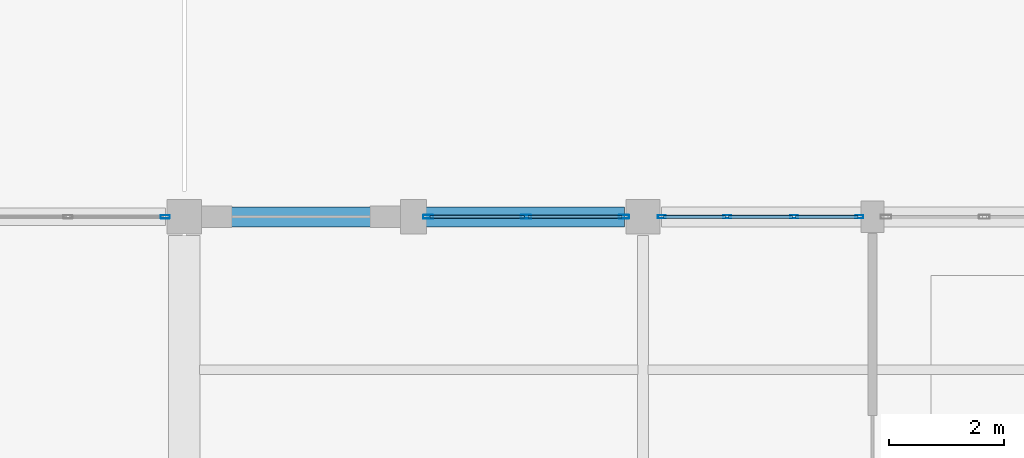
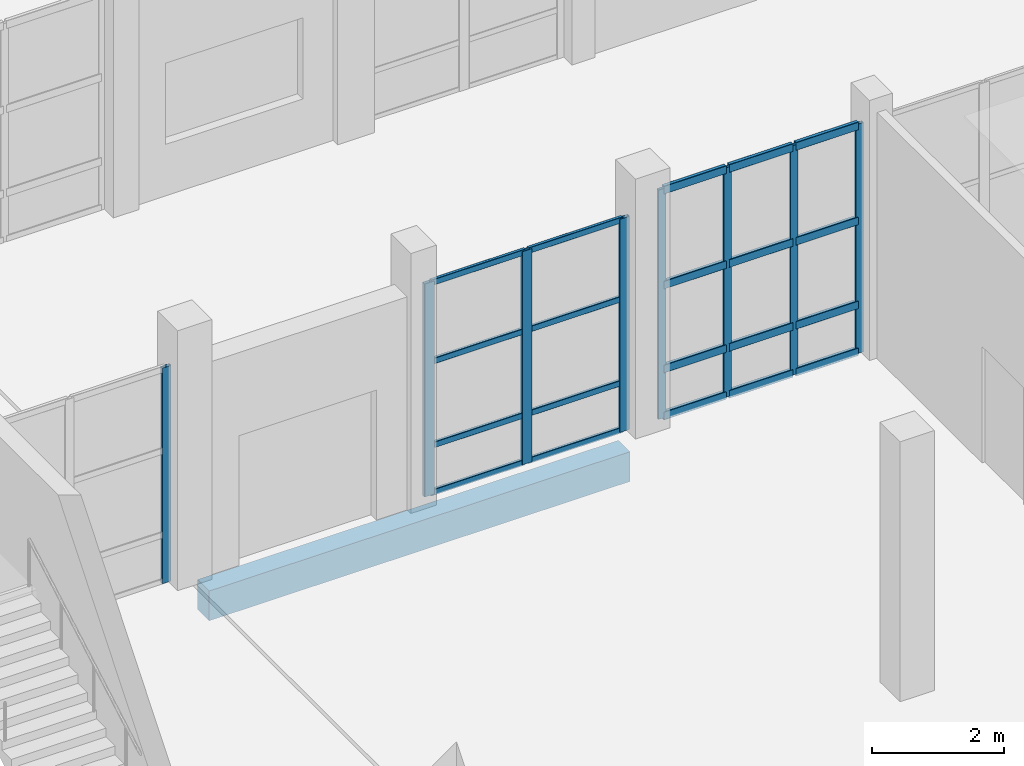
# One storey, part 64 of 156: 28 members, 1 beam, 3 elements without a shape of their own.
"""IFC4 building model written with IfcOpenShell, lengths in metres."""

from ifc_helpers import new_model, si_unit, direction, frame, origin, origin_2d, place, context, subcontext, project, spatial, rectangle, hollow_rectangle, extrude, material, material_profile, profile_set, type_object, element, aggregate, save


model = new_model("IFC4")

# Units and contexts
model_context = context("Model", 3, precision=1e-05, world=origin(), true_north=direction((0.0, 1.0)))
body_context = subcontext(model_context, "Body", "Model", "MODEL_VIEW")
ifc_project = project(units=[si_unit("LENGTHUNIT", "METRE"), si_unit("AREAUNIT", "SQUARE_METRE"), si_unit("VOLUMEUNIT", "CUBIC_METRE"), si_unit("PLANEANGLEUNIT", "RADIAN"), si_unit("MASSUNIT", "GRAM", prefix="KILO")], contexts=[model_context])

# Site, building, storey
site_placement = place(None, origin())
site = spatial("IfcSite", under=ifc_project, at=site_placement, CompositionType="ELEMENT")
building_placement = place(site_placement, origin())
building = spatial("IfcBuilding", under=site, at=building_placement, Name="Luwemba Playhouse", CompositionType="ELEMENT")
storey_placement = place(building_placement, origin())
storey = spatial("IfcBuildingStorey", under=building, at=storey_placement, Name="L00", CompositionType="ELEMENT", Elevation=0.0)

# Beam
ifc_material_1 = material(Name="Concrete C40/50", Category="concrete")
ifc_material_profile_1 = material_profile(ifc_material_1, rectangle(XDim=0.35009765625, YDim=0.550048828125, at=origin_2d()))
ifc_profile_set_1 = profile_set([ifc_material_profile_1], Name="Concrete C40/50")
beam_type = type_object("IfcBeamType", Name="BM-SP2", PredefinedType="SPANDREL", material=ifc_profile_set_1)
beam_placement = place(storey_placement, frame((132.324951171875, 27.0, -0.574951171875), z_axis=(1.0, 0.0, 0.0), x_axis=(0.0, 1.0, 0.0)))
element("IfcBeam", 1, at=beam_placement, inside=storey, type_object=beam_type, Name="L00 grid girder 0225", PredefinedType="SPANDREL", context=body_context, shape_type="SweptSolid", body=[
    extrude(rectangle(XDim=0.35009765625, YDim=0.550048828125, at=origin_2d()), origin(), (0.0, 0.0, 1.0), 7.35009765625),
])

# Curtain wall, member
ifc_material_2 = material(Name="Solar-control double glazing", Category="glass")
curtain_wall_type_1 = type_object("IfcCurtainWallType", Name="CW-CW50", PredefinedType="USERDEFINED", material=ifc_material_2)
curtain_wall_1_placement = place(storey_placement, origin())
curtain_wall_1 = element("IfcCurtainWall", 2, at=curtain_wall_1_placement, inside=storey, type_object=curtain_wall_type_1, Name="L00 V5E unitised curtain wall 059", ObjectType="UNITISED GLAZING", PredefinedType="USERDEFINED")
ifc_material_3 = material(Name="Aluminium 6063-T6", Category="aluminium")
ifc_material_profile_2 = material_profile(ifc_material_3, hollow_rectangle(XDim=0.06005859375, YDim=0.159912109375, WallThickness=0.00390625, InnerFilletRadius=0.006103515625, OuterFilletRadius=0.010009765625, at=origin_2d()))
ifc_profile_set_2 = profile_set([ifc_material_profile_2], Name="Aluminium 6063-T6")
member_type_1 = type_object("IfcMemberType", Name="CWM-M1", PredefinedType="MULLION", material=ifc_profile_set_2)
member_1_placement = place(storey_placement, frame((131.669921875, 27.0, 0.0), z_axis=(0.0, 0.0, 1.0), x_axis=(0.0, 1.0, 0.0)))
member_1 = element("IfcMember", 3, at=member_1_placement, type_object=member_type_1, Name="CW50 mullion 3", PredefinedType="MULLION", context=body_context, shape_type="SweptSolid", body=[
    extrude(hollow_rectangle(XDim=0.06005859375, YDim=0.159912109375, WallThickness=0.00390625, InnerFilletRadius=0.006103515625, OuterFilletRadius=0.010009765625, at=origin_2d()), origin(), (0.0, 0.0, 1.0), 3.985107421875),
])
aggregate(curtain_wall_1, [member_1])

# Curtain wall, members
curtain_wall_type_2 = type_object("IfcCurtainWallType", Name="CW-CW51", PredefinedType="USERDEFINED", material=ifc_material_2)
curtain_wall_2_placement = place(storey_placement, origin())
curtain_wall_2 = element("IfcCurtainWall", 4, at=curtain_wall_2_placement, inside=storey, type_object=curtain_wall_type_2, Name="L00 V5E unitised curtain wall 060", ObjectType="UNITISED GLAZING", PredefinedType="USERDEFINED")
ifc_material_profile_3 = material_profile(ifc_material_3, hollow_rectangle(XDim=0.06494140625, YDim=0.179931640625, WallThickness=0.00439453125, InnerFilletRadius=0.0068359375, OuterFilletRadius=0.01123046875, at=origin_2d()))
ifc_profile_set_3 = profile_set([ifc_material_profile_3], Name="Aluminium 6063-T6")
member_type_2 = type_object("IfcMemberType", Name="CWM-M2", PredefinedType="MULLION", material=ifc_profile_set_3)
member_2_placement = place(storey_placement, frame((136.257568359375, 27.0, 0.0), z_axis=(0.0, 0.0, 1.0), x_axis=(0.0, 1.0, 0.0)))
member_2 = element("IfcMember", 5, at=member_2_placement, type_object=member_type_2, Name="CW51 mullion 1", PredefinedType="MULLION", context=body_context, shape_type="SweptSolid", body=[
    extrude(hollow_rectangle(XDim=0.06494140625, YDim=0.179931640625, WallThickness=0.00439453125, InnerFilletRadius=0.0068359375, OuterFilletRadius=0.01123046875, at=origin_2d()), origin(), (0.0, 0.0, 1.0), 3.93505859375),
])
member_3_placement = place(storey_placement, frame((137.96240234375, 27.0, 0.0), z_axis=(0.0, 0.0, 1.0), x_axis=(0.0, 1.0, 0.0)))
member_3 = element("IfcMember", 6, at=member_3_placement, type_object=member_type_2, Name="CW51 mullion 2", PredefinedType="MULLION", context=body_context, shape_type="SweptSolid", body=[
    extrude(hollow_rectangle(XDim=0.06494140625, YDim=0.179931640625, WallThickness=0.00439453125, InnerFilletRadius=0.0068359375, OuterFilletRadius=0.01123046875, at=origin_2d()), origin(), (0.0, 0.0, 1.0), 3.93505859375),
])
member_4_placement = place(storey_placement, frame((139.66748046875, 27.0, 0.0), z_axis=(0.0, 0.0, 1.0), x_axis=(0.0, 1.0, 0.0)))
member_4 = element("IfcMember", 7, at=member_4_placement, type_object=member_type_2, Name="CW51 mullion 3", PredefinedType="MULLION", context=body_context, shape_type="SweptSolid", body=[
    extrude(hollow_rectangle(XDim=0.06494140625, YDim=0.179931640625, WallThickness=0.00439453125, InnerFilletRadius=0.0068359375, OuterFilletRadius=0.01123046875, at=origin_2d()), origin(), (0.0, 0.0, 1.0), 3.93505859375),
])

curtain_wall_type_3 = type_object("IfcCurtainWallType", Name="CW-CW52", PredefinedType="USERDEFINED", material=ifc_material_2)
curtain_wall_3_placement = place(storey_placement, origin())
curtain_wall_3 = element("IfcCurtainWall", 8, at=curtain_wall_3_placement, inside=storey, type_object=curtain_wall_type_3, Name="L00 V5E unitised curtain wall 061", ObjectType="UNITISED GLAZING", PredefinedType="USERDEFINED")
ifc_material_profile_4 = material_profile(ifc_material_3, hollow_rectangle(XDim=0.054931640625, YDim=0.139892578125, WallThickness=0.00390625, InnerFilletRadius=0.006103515625, OuterFilletRadius=0.010009765625, at=origin_2d()))
ifc_profile_set_4 = profile_set([ifc_material_profile_4], Name="Aluminium 6063-T6")
member_type_3 = type_object("IfcMemberType", Name="CWM-M3", PredefinedType="MULLION", material=ifc_profile_set_4)
member_5_placement = place(storey_placement, frame((140.327392578125, 27.0, 0.0), z_axis=(0.0, 0.0, 1.0), x_axis=(0.0, 1.0, 0.0)))
member_5 = element("IfcMember", 9, at=member_5_placement, type_object=member_type_3, Name="CW52 mullion 1", PredefinedType="MULLION", context=body_context, shape_type="SweptSolid", body=[
    extrude(hollow_rectangle(XDim=0.054931640625, YDim=0.139892578125, WallThickness=0.00390625, InnerFilletRadius=0.006103515625, OuterFilletRadius=0.010009765625, at=origin_2d()), origin(), (0.0, 0.0, 1.0), 4.235107421875),
])
member_6_placement = place(storey_placement, frame((141.466552734375, 27.0, 0.0), z_axis=(0.0, 0.0, 1.0), x_axis=(0.0, 1.0, 0.0)))
member_6 = element("IfcMember", 10, at=member_6_placement, type_object=member_type_3, Name="CW52 mullion 2", PredefinedType="MULLION", context=body_context, shape_type="SweptSolid", body=[
    extrude(hollow_rectangle(XDim=0.054931640625, YDim=0.139892578125, WallThickness=0.00390625, InnerFilletRadius=0.006103515625, OuterFilletRadius=0.010009765625, at=origin_2d()), origin(), (0.0, 0.0, 1.0), 4.235107421875),
])
member_7_placement = place(storey_placement, frame((142.63330078125, 27.0, 0.0), z_axis=(0.0, 0.0, 1.0), x_axis=(0.0, 1.0, 0.0)))
member_7 = element("IfcMember", 11, at=member_7_placement, type_object=member_type_3, Name="CW52 mullion 3", PredefinedType="MULLION", context=body_context, shape_type="SweptSolid", body=[
    extrude(hollow_rectangle(XDim=0.054931640625, YDim=0.139892578125, WallThickness=0.00390625, InnerFilletRadius=0.006103515625, OuterFilletRadius=0.010009765625, at=origin_2d()), origin(), (0.0, 0.0, 1.0), 4.235107421875),
])
member_8_placement = place(storey_placement, frame((143.7724609375, 27.0, 0.0), z_axis=(0.0, 0.0, 1.0), x_axis=(0.0, 1.0, 0.0)))
member_8 = element("IfcMember", 12, at=member_8_placement, type_object=member_type_3, Name="CW52 mullion 4", PredefinedType="MULLION", context=body_context, shape_type="SweptSolid", body=[
    extrude(hollow_rectangle(XDim=0.054931640625, YDim=0.139892578125, WallThickness=0.00390625, InnerFilletRadius=0.006103515625, OuterFilletRadius=0.010009765625, at=origin_2d()), origin(), (0.0, 0.0, 1.0), 4.235107421875),
])

# Member
ifc_material_profile_5 = material_profile(ifc_material_3, hollow_rectangle(XDim=0.054931640625, YDim=0.110107421875, WallThickness=0.00341796875, InnerFilletRadius=0.00537109375, OuterFilletRadius=0.0087890625, at=origin_2d()))
ifc_profile_set_5 = profile_set([ifc_material_profile_5], Name="Aluminium 6063-T6")
member_type_4 = type_object("IfcMemberType", Name="CWT-T2", PredefinedType="USERDEFINED", material=ifc_profile_set_5)
member_9_placement = place(storey_placement, frame((136.2900390625, 27.0, 0.027587890625), z_axis=(1.0, 0.0, 0.0), x_axis=(0.0, 1.0, 0.0)))
member_9 = element("IfcMember", 13, at=member_9_placement, type_object=member_type_4, Name="CW51 transom 1.1", ObjectType="TRANSOM", PredefinedType="USERDEFINED", context=body_context, shape_type="SweptSolid", body=[
    extrude(hollow_rectangle(XDim=0.054931640625, YDim=0.110107421875, WallThickness=0.00341796875, InnerFilletRadius=0.00537109375, OuterFilletRadius=0.0087890625, at=origin_2d()), origin(), (0.0, 0.0, 1.0), 1.639892578125),
])

member_10_placement = place(storey_placement, frame((136.2900390625, 27.0, 0.89990234375), z_axis=(1.0, 0.0, 0.0), x_axis=(0.0, 1.0, 0.0)))
member_10 = element("IfcMember", 14, at=member_10_placement, type_object=member_type_4, Name="CW51 transom 1.2", ObjectType="TRANSOM", PredefinedType="USERDEFINED", context=body_context, shape_type="SweptSolid", body=[
    extrude(hollow_rectangle(XDim=0.054931640625, YDim=0.110107421875, WallThickness=0.00341796875, InnerFilletRadius=0.00537109375, OuterFilletRadius=0.0087890625, at=origin_2d()), origin(), (0.0, 0.0, 1.0), 1.639892578125),
])

member_11_placement = place(storey_placement, frame((136.2900390625, 27.0, 2.449951171875), z_axis=(1.0, 0.0, 0.0), x_axis=(0.0, 1.0, 0.0)))
member_11 = element("IfcMember", 15, at=member_11_placement, type_object=member_type_4, Name="CW51 transom 1.3", ObjectType="TRANSOM", PredefinedType="USERDEFINED", context=body_context, shape_type="SweptSolid", body=[
    extrude(hollow_rectangle(XDim=0.054931640625, YDim=0.110107421875, WallThickness=0.00341796875, InnerFilletRadius=0.00537109375, OuterFilletRadius=0.0087890625, at=origin_2d()), origin(), (0.0, 0.0, 1.0), 1.639892578125),
])

member_12_placement = place(storey_placement, frame((136.2900390625, 27.0, 3.907470703125), z_axis=(1.0, 0.0, 0.0), x_axis=(0.0, 1.0, 0.0)))
member_12 = element("IfcMember", 16, at=member_12_placement, type_object=member_type_4, Name="CW51 transom 1.4", ObjectType="TRANSOM", PredefinedType="USERDEFINED", context=body_context, shape_type="SweptSolid", body=[
    extrude(hollow_rectangle(XDim=0.054931640625, YDim=0.110107421875, WallThickness=0.00341796875, InnerFilletRadius=0.00537109375, OuterFilletRadius=0.0087890625, at=origin_2d()), origin(), (0.0, 0.0, 1.0), 1.639892578125),
])

member_13_placement = place(storey_placement, frame((137.9951171875, 27.0, 0.027587890625), z_axis=(1.0, 0.0, 0.0), x_axis=(0.0, 1.0, 0.0)))
member_13 = element("IfcMember", 17, at=member_13_placement, type_object=member_type_4, Name="CW51 transom 2.1", ObjectType="TRANSOM", PredefinedType="USERDEFINED", context=body_context, shape_type="SweptSolid", body=[
    extrude(hollow_rectangle(XDim=0.054931640625, YDim=0.110107421875, WallThickness=0.00341796875, InnerFilletRadius=0.00537109375, OuterFilletRadius=0.0087890625, at=origin_2d()), origin(), (0.0, 0.0, 1.0), 1.639892578125),
])

member_14_placement = place(storey_placement, frame((137.9951171875, 27.0, 0.89990234375), z_axis=(1.0, 0.0, 0.0), x_axis=(0.0, 1.0, 0.0)))
member_14 = element("IfcMember", 18, at=member_14_placement, type_object=member_type_4, Name="CW51 transom 2.2", ObjectType="TRANSOM", PredefinedType="USERDEFINED", context=body_context, shape_type="SweptSolid", body=[
    extrude(hollow_rectangle(XDim=0.054931640625, YDim=0.110107421875, WallThickness=0.00341796875, InnerFilletRadius=0.00537109375, OuterFilletRadius=0.0087890625, at=origin_2d()), origin(), (0.0, 0.0, 1.0), 1.639892578125),
])

member_15_placement = place(storey_placement, frame((137.9951171875, 27.0, 2.449951171875), z_axis=(1.0, 0.0, 0.0), x_axis=(0.0, 1.0, 0.0)))
member_15 = element("IfcMember", 19, at=member_15_placement, type_object=member_type_4, Name="CW51 transom 2.3", ObjectType="TRANSOM", PredefinedType="USERDEFINED", context=body_context, shape_type="SweptSolid", body=[
    extrude(hollow_rectangle(XDim=0.054931640625, YDim=0.110107421875, WallThickness=0.00341796875, InnerFilletRadius=0.00537109375, OuterFilletRadius=0.0087890625, at=origin_2d()), origin(), (0.0, 0.0, 1.0), 1.639892578125),
])

member_16_placement = place(storey_placement, frame((137.9951171875, 27.0, 3.907470703125), z_axis=(1.0, 0.0, 0.0), x_axis=(0.0, 1.0, 0.0)))
member_16 = element("IfcMember", 20, at=member_16_placement, type_object=member_type_4, Name="CW51 transom 2.4", ObjectType="TRANSOM", PredefinedType="USERDEFINED", context=body_context, shape_type="SweptSolid", body=[
    extrude(hollow_rectangle(XDim=0.054931640625, YDim=0.110107421875, WallThickness=0.00341796875, InnerFilletRadius=0.00537109375, OuterFilletRadius=0.0087890625, at=origin_2d()), origin(), (0.0, 0.0, 1.0), 1.639892578125),
])

aggregate(curtain_wall_2, [member_2, member_3, member_4, member_9, member_10, member_11, member_12, member_13, member_14, member_15, member_16])

ifc_material_profile_6 = material_profile(ifc_material_3, hollow_rectangle(XDim=0.06494140625, YDim=0.14990234375, WallThickness=0.00390625, InnerFilletRadius=0.006103515625, OuterFilletRadius=0.010009765625, at=origin_2d()))
ifc_profile_set_6 = profile_set([ifc_material_profile_6], Name="Aluminium 6063-T6")
member_type_5 = type_object("IfcMemberType", Name="CWT-T3", PredefinedType="USERDEFINED", material=ifc_profile_set_6)
member_17_placement = place(storey_placement, frame((140.35498046875, 27.0, 0.032470703125), z_axis=(1.0, 0.0, 0.0), x_axis=(0.0, 1.0, 0.0)))
member_17 = element("IfcMember", 21, at=member_17_placement, type_object=member_type_5, Name="CW52 transom 1.1", ObjectType="TRANSOM", PredefinedType="USERDEFINED", context=body_context, shape_type="SweptSolid", body=[
    extrude(hollow_rectangle(XDim=0.06494140625, YDim=0.14990234375, WallThickness=0.00390625, InnerFilletRadius=0.006103515625, OuterFilletRadius=0.010009765625, at=origin_2d()), origin(), (0.0, 0.0, 1.0), 1.084228515625),
])

member_18_placement = place(storey_placement, frame((140.35498046875, 27.0, 0.89990234375), z_axis=(1.0, 0.0, 0.0), x_axis=(0.0, 1.0, 0.0)))
member_18 = element("IfcMember", 22, at=member_18_placement, type_object=member_type_5, Name="CW52 transom 1.2", ObjectType="TRANSOM", PredefinedType="USERDEFINED", context=body_context, shape_type="SweptSolid", body=[
    extrude(hollow_rectangle(XDim=0.06494140625, YDim=0.14990234375, WallThickness=0.00390625, InnerFilletRadius=0.006103515625, OuterFilletRadius=0.010009765625, at=origin_2d()), origin(), (0.0, 0.0, 1.0), 1.084228515625),
])

member_19_placement = place(storey_placement, frame((140.35498046875, 27.0, 2.449951171875), z_axis=(1.0, 0.0, 0.0), x_axis=(0.0, 1.0, 0.0)))
member_19 = element("IfcMember", 23, at=member_19_placement, type_object=member_type_5, Name="CW52 transom 1.3", ObjectType="TRANSOM", PredefinedType="USERDEFINED", context=body_context, shape_type="SweptSolid", body=[
    extrude(hollow_rectangle(XDim=0.06494140625, YDim=0.14990234375, WallThickness=0.00390625, InnerFilletRadius=0.006103515625, OuterFilletRadius=0.010009765625, at=origin_2d()), origin(), (0.0, 0.0, 1.0), 1.084228515625),
])

member_20_placement = place(storey_placement, frame((140.35498046875, 27.0, 4.202392578125), z_axis=(1.0, 0.0, 0.0), x_axis=(0.0, 1.0, 0.0)))
member_20 = element("IfcMember", 24, at=member_20_placement, type_object=member_type_5, Name="CW52 transom 1.4", ObjectType="TRANSOM", PredefinedType="USERDEFINED", context=body_context, shape_type="SweptSolid", body=[
    extrude(hollow_rectangle(XDim=0.06494140625, YDim=0.14990234375, WallThickness=0.00390625, InnerFilletRadius=0.006103515625, OuterFilletRadius=0.010009765625, at=origin_2d()), origin(), (0.0, 0.0, 1.0), 1.084228515625),
])

member_21_placement = place(storey_placement, frame((141.494140625, 27.0, 0.032470703125), z_axis=(1.0, 0.0, 0.0), x_axis=(0.0, 1.0, 0.0)))
member_21 = element("IfcMember", 25, at=member_21_placement, type_object=member_type_5, Name="CW52 transom 2.1", ObjectType="TRANSOM", PredefinedType="USERDEFINED", context=body_context, shape_type="SweptSolid", body=[
    extrude(hollow_rectangle(XDim=0.06494140625, YDim=0.14990234375, WallThickness=0.00390625, InnerFilletRadius=0.006103515625, OuterFilletRadius=0.010009765625, at=origin_2d()), origin(), (0.0, 0.0, 1.0), 1.111572265625),
])

member_22_placement = place(storey_placement, frame((141.494140625, 27.0, 0.89990234375), z_axis=(1.0, 0.0, 0.0), x_axis=(0.0, 1.0, 0.0)))
member_22 = element("IfcMember", 26, at=member_22_placement, type_object=member_type_5, Name="CW52 transom 2.2", ObjectType="TRANSOM", PredefinedType="USERDEFINED", context=body_context, shape_type="SweptSolid", body=[
    extrude(hollow_rectangle(XDim=0.06494140625, YDim=0.14990234375, WallThickness=0.00390625, InnerFilletRadius=0.006103515625, OuterFilletRadius=0.010009765625, at=origin_2d()), origin(), (0.0, 0.0, 1.0), 1.111572265625),
])

member_23_placement = place(storey_placement, frame((141.494140625, 27.0, 2.449951171875), z_axis=(1.0, 0.0, 0.0), x_axis=(0.0, 1.0, 0.0)))
member_23 = element("IfcMember", 27, at=member_23_placement, type_object=member_type_5, Name="CW52 transom 2.3", ObjectType="TRANSOM", PredefinedType="USERDEFINED", context=body_context, shape_type="SweptSolid", body=[
    extrude(hollow_rectangle(XDim=0.06494140625, YDim=0.14990234375, WallThickness=0.00390625, InnerFilletRadius=0.006103515625, OuterFilletRadius=0.010009765625, at=origin_2d()), origin(), (0.0, 0.0, 1.0), 1.111572265625),
])

member_24_placement = place(storey_placement, frame((141.494140625, 27.0, 4.202392578125), z_axis=(1.0, 0.0, 0.0), x_axis=(0.0, 1.0, 0.0)))
member_24 = element("IfcMember", 28, at=member_24_placement, type_object=member_type_5, Name="CW52 transom 2.4", ObjectType="TRANSOM", PredefinedType="USERDEFINED", context=body_context, shape_type="SweptSolid", body=[
    extrude(hollow_rectangle(XDim=0.06494140625, YDim=0.14990234375, WallThickness=0.00390625, InnerFilletRadius=0.006103515625, OuterFilletRadius=0.010009765625, at=origin_2d()), origin(), (0.0, 0.0, 1.0), 1.111572265625),
])

member_25_placement = place(storey_placement, frame((142.660888671875, 27.0, 0.032470703125), z_axis=(1.0, 0.0, 0.0), x_axis=(0.0, 1.0, 0.0)))
member_25 = element("IfcMember", 29, at=member_25_placement, type_object=member_type_5, Name="CW52 transom 3.1", ObjectType="TRANSOM", PredefinedType="USERDEFINED", context=body_context, shape_type="SweptSolid", body=[
    extrude(hollow_rectangle(XDim=0.06494140625, YDim=0.14990234375, WallThickness=0.00390625, InnerFilletRadius=0.006103515625, OuterFilletRadius=0.010009765625, at=origin_2d()), origin(), (0.0, 0.0, 1.0), 1.084228515625),
])

member_26_placement = place(storey_placement, frame((142.660888671875, 27.0, 0.89990234375), z_axis=(1.0, 0.0, 0.0), x_axis=(0.0, 1.0, 0.0)))
member_26 = element("IfcMember", 30, at=member_26_placement, type_object=member_type_5, Name="CW52 transom 3.2", ObjectType="TRANSOM", PredefinedType="USERDEFINED", context=body_context, shape_type="SweptSolid", body=[
    extrude(hollow_rectangle(XDim=0.06494140625, YDim=0.14990234375, WallThickness=0.00390625, InnerFilletRadius=0.006103515625, OuterFilletRadius=0.010009765625, at=origin_2d()), origin(), (0.0, 0.0, 1.0), 1.084228515625),
])

member_27_placement = place(storey_placement, frame((142.660888671875, 27.0, 2.449951171875), z_axis=(1.0, 0.0, 0.0), x_axis=(0.0, 1.0, 0.0)))
member_27 = element("IfcMember", 31, at=member_27_placement, type_object=member_type_5, Name="CW52 transom 3.3", ObjectType="TRANSOM", PredefinedType="USERDEFINED", context=body_context, shape_type="SweptSolid", body=[
    extrude(hollow_rectangle(XDim=0.06494140625, YDim=0.14990234375, WallThickness=0.00390625, InnerFilletRadius=0.006103515625, OuterFilletRadius=0.010009765625, at=origin_2d()), origin(), (0.0, 0.0, 1.0), 1.084228515625),
])

member_28_placement = place(storey_placement, frame((142.660888671875, 27.0, 4.202392578125), z_axis=(1.0, 0.0, 0.0), x_axis=(0.0, 1.0, 0.0)))
member_28 = element("IfcMember", 32, at=member_28_placement, type_object=member_type_5, Name="CW52 transom 3.4", ObjectType="TRANSOM", PredefinedType="USERDEFINED", context=body_context, shape_type="SweptSolid", body=[
    extrude(hollow_rectangle(XDim=0.06494140625, YDim=0.14990234375, WallThickness=0.00390625, InnerFilletRadius=0.006103515625, OuterFilletRadius=0.010009765625, at=origin_2d()), origin(), (0.0, 0.0, 1.0), 1.084228515625),
])

aggregate(curtain_wall_3, [member_5, member_6, member_7, member_8, member_17, member_18, member_19, member_20, member_21, member_22, member_23, member_24, member_25, member_26, member_27, member_28])

save(model, "model.ifc")
